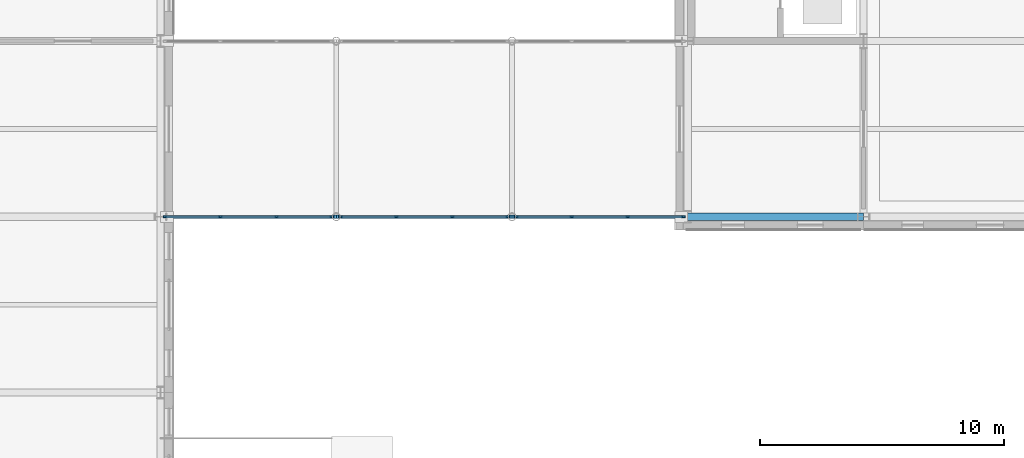
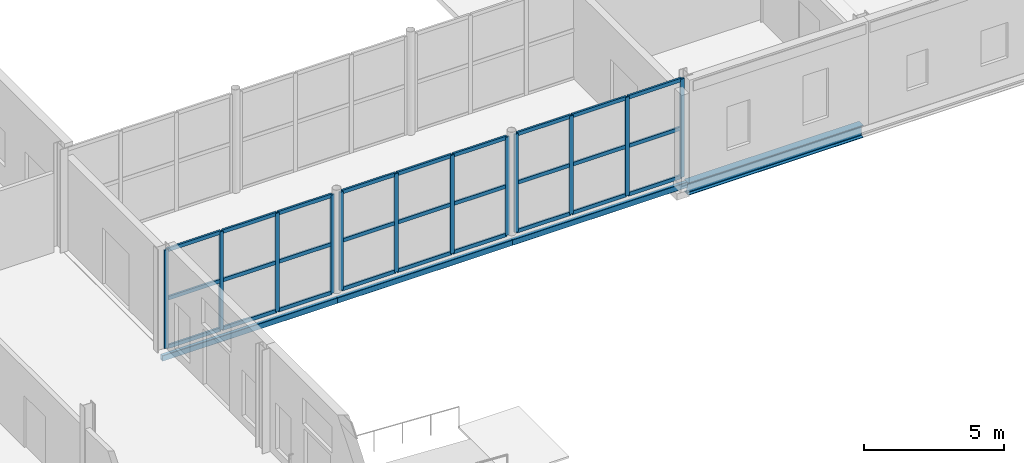
# One storey, part 32 of 92: 39 members, 4 beams, 3 elements without a shape of their own.
"""IFC4 building model written with IfcOpenShell, lengths in metres."""

from ifc_helpers import new_model, si_unit, direction, frame, origin, origin_2d, place, context, subcontext, project, spatial, rectangle, hollow_rectangle, i_section, extrude, material, material_profile, profile_set, type_object, element, aggregate, save


model = new_model("IFC4")

# Units and contexts
model_context = context("Model", 3, precision=1e-05, world=origin(), true_north=direction((0.0, 1.0)))
body_context = subcontext(model_context, "Body", "Model", "MODEL_VIEW")
ifc_project = project(units=[si_unit("LENGTHUNIT", "METRE"), si_unit("AREAUNIT", "SQUARE_METRE"), si_unit("VOLUMEUNIT", "CUBIC_METRE"), si_unit("PLANEANGLEUNIT", "RADIAN"), si_unit("MASSUNIT", "GRAM", prefix="KILO")], contexts=[model_context])

# Site, building, storey
site_placement = place(None, origin())
site = spatial("IfcSite", under=ifc_project, at=site_placement, CompositionType="ELEMENT")
building_placement = place(site_placement, origin())
building = spatial("IfcBuilding", under=site, at=building_placement, Name="Zlatovets Crest Museum", CompositionType="ELEMENT")
storey_placement = place(building_placement, origin())
storey = spatial("IfcBuildingStorey", under=building, at=storey_placement, Name="L00", CompositionType="ELEMENT", Elevation=0.0)

# Beams
ifc_material_1 = material(Name="Structural steel S355J2", Category="steel")
ifc_material_profile_1 = material_profile(ifc_material_1, i_section(OverallWidth=0.300048828125, OverallDepth=0.5400390625, WebThickness=0.012451171875, FlangeThickness=0.02392578125, FilletRadius=0.027099609375, at=origin_2d()), Name="HEA 550")
ifc_profile_set_1 = profile_set([ifc_material_profile_1], Name="Structural steel S355J2")
beam_type_1 = type_object("IfcBeamType", Name="Beam_B-09", PredefinedType="BEAM", material=ifc_profile_set_1)
beam_1_placement = place(storey_placement, frame((57.60009765625, 86.39990234375, -0.52001953125), z_axis=(1.0, 0.0, 0.0), x_axis=(0.0, 1.0, 0.0)))
element("IfcBeam", 1, at=beam_1_placement, inside=storey, type_object=beam_type_1, Name="V1 L00 Primary Girder B-09", PredefinedType="BEAM", context=body_context, shape_type="SweptSolid", body=[
    extrude(i_section(OverallWidth=0.300048828125, OverallDepth=0.5400390625, WebThickness=0.012451171875, FlangeThickness=0.02392578125, FilletRadius=0.027099609375, at=origin_2d()), origin(), (0.0, 0.0, 1.0), 7.199951171875),
])
ifc_material_profile_2 = material_profile(ifc_material_1, hollow_rectangle(XDim=0.14990234375, YDim=0.25, WallThickness=0.010009765625, InnerFilletRadius=0.010009765625, OuterFilletRadius=0.02001953125, at=origin_2d()), Name="RHS 150x250x10.0")
ifc_profile_set_2 = profile_set([ifc_material_profile_2], Name="Structural steel S355J2")
beam_type_2 = type_object("IfcBeamType", Name="Beam_BRG-03", PredefinedType="BEAM", material=ifc_profile_set_2)
for number, where, z_axis, x_axis, name in (
    (2, (36.0, 86.39990234375, -0.375), (1.0, 0.0, 0.0), (0.0, 1.0, 0.0), "Northwest Crest Glazed Link Bridge L00 Stringer Beam"),
    (3, (43.199951171875, 86.39990234375, -0.375), (1.0, 0.0, 0.0), (0.0, 1.0, 0.0), "Northwest Crest Glazed Link Bridge L00 Stringer Beam"),
):
    element("IfcBeam", number, at=place(storey_placement, frame(where, z_axis=z_axis, x_axis=x_axis)), inside=storey, type_object=beam_type_2, Name=name, PredefinedType="BEAM", context=body_context, shape_type="SweptSolid", body=[
        extrude(hollow_rectangle(XDim=0.14990234375, YDim=0.25, WallThickness=0.010009765625, InnerFilletRadius=0.010009765625, OuterFilletRadius=0.02001953125, at=origin_2d()), origin(), (0.0, 0.0, 1.0), 7.199951171875),
    ])
beam_2_placement = place(storey_placement, frame((50.39990234375, 86.39990234375, -0.375), z_axis=(1.0, 0.0, 0.0), x_axis=(0.0, 1.0, 0.0)))
element("IfcBeam", 4, at=beam_2_placement, inside=storey, type_object=beam_type_2, Name="Northwest Crest Glazed Link Bridge L00 Stringer Beam", PredefinedType="BEAM", context=body_context, shape_type="SweptSolid", body=[
    extrude(hollow_rectangle(XDim=0.14990234375, YDim=0.25, WallThickness=0.010009765625, InnerFilletRadius=0.010009765625, OuterFilletRadius=0.02001953125, at=origin_2d()), origin(), (0.0, 0.0, 1.0), 7.2001953125),
])

# Curtain wall, members
ifc_material_2 = material(Name="Bronze-anodised aluminium and low-E triple glass", Category="aluminium")
curtain_wall_type = type_object("IfcCurtainWallType", Name="CW_CW-BR3-L00-S69", PredefinedType="NOTDEFINED", material=ifc_material_2)
curtain_wall_1_placement = place(storey_placement, origin())
curtain_wall_1 = element("IfcCurtainWall", 5, at=curtain_wall_1_placement, inside=storey, type_object=curtain_wall_type, Name="Northwest Crest Glazed Link Bridge L00 Glazed Bridge Curtain Wall", PredefinedType="NOTDEFINED")
ifc_material_3 = material(Name="Bronze-anodised aluminium EN AW-6060", Category="aluminium")
ifc_material_profile_3 = material_profile(ifc_material_3, rectangle(XDim=0.080078125, YDim=0.159912109375, at=origin_2d()), Name="ALU 80x160")
ifc_profile_set_3 = profile_set([ifc_material_profile_3], Name="Bronze-anodised aluminium EN AW-6060")
member_type_1 = type_object("IfcMemberType", Name="CWMull_M1", PredefinedType="MULLION", material=ifc_profile_set_3)
member_1_placement = place(storey_placement, frame((36.179931640625, 86.39990234375, 0.0), z_axis=(0.0, 0.0, 1.0), x_axis=(0.0, 1.0, 0.0)))
member_1 = element("IfcMember", 6, at=member_1_placement, type_object=member_type_1, Name="CW-BR3-L00-S69 mullion 1", PredefinedType="MULLION", context=body_context, shape_type="SweptSolid", body=[
    extrude(rectangle(XDim=0.080078125, YDim=0.159912109375, at=origin_2d()), origin(), (0.0, 0.0, 1.0), 4.280029296875),
])
member_2_placement = place(storey_placement, frame((38.449951171875, 86.39990234375, 0.0), z_axis=(0.0, 0.0, 1.0), x_axis=(0.0, 1.0, 0.0)))
member_2 = element("IfcMember", 7, at=member_2_placement, type_object=member_type_1, Name="CW-BR3-L00-S69 mullion 2", PredefinedType="MULLION", context=body_context, shape_type="SweptSolid", body=[
    extrude(rectangle(XDim=0.080078125, YDim=0.159912109375, at=origin_2d()), origin(), (0.0, 0.0, 1.0), 4.280029296875),
])
member_3_placement = place(storey_placement, frame((40.75, 86.39990234375, 0.0), z_axis=(0.0, 0.0, 1.0), x_axis=(0.0, 1.0, 0.0)))
member_3 = element("IfcMember", 8, at=member_3_placement, type_object=member_type_1, Name="CW-BR3-L00-S69 mullion 3", PredefinedType="MULLION", context=body_context, shape_type="SweptSolid", body=[
    extrude(rectangle(XDim=0.080078125, YDim=0.159912109375, at=origin_2d()), origin(), (0.0, 0.0, 1.0), 4.280029296875),
])
member_4_placement = place(storey_placement, frame((43.02001953125, 86.39990234375, 0.0), z_axis=(0.0, 0.0, 1.0), x_axis=(0.0, 1.0, 0.0)))
member_4 = element("IfcMember", 9, at=member_4_placement, type_object=member_type_1, Name="CW-BR3-L00-S69 mullion 4", PredefinedType="MULLION", context=body_context, shape_type="SweptSolid", body=[
    extrude(rectangle(XDim=0.080078125, YDim=0.159912109375, at=origin_2d()), origin(), (0.0, 0.0, 1.0), 4.280029296875),
])

curtain_wall_2_placement = place(storey_placement, origin())
curtain_wall_2 = element("IfcCurtainWall", 10, at=curtain_wall_2_placement, inside=storey, type_object=curtain_wall_type, Name="Northwest Crest Glazed Link Bridge L00 Glazed Bridge Curtain Wall", PredefinedType="NOTDEFINED")
member_5_placement = place(storey_placement, frame((43.3798828125, 86.39990234375, 0.0), z_axis=(0.0, 0.0, 1.0), x_axis=(0.0, 1.0, 0.0)))
member_5 = element("IfcMember", 11, at=member_5_placement, type_object=member_type_1, Name="CW-BR3-L00-S69 mullion 1", PredefinedType="MULLION", context=body_context, shape_type="SweptSolid", body=[
    extrude(rectangle(XDim=0.080078125, YDim=0.159912109375, at=origin_2d()), origin(), (0.0, 0.0, 1.0), 4.280029296875),
])
member_6_placement = place(storey_placement, frame((45.64990234375, 86.39990234375, 0.0), z_axis=(0.0, 0.0, 1.0), x_axis=(0.0, 1.0, 0.0)))
member_6 = element("IfcMember", 12, at=member_6_placement, type_object=member_type_1, Name="CW-BR3-L00-S69 mullion 2", PredefinedType="MULLION", context=body_context, shape_type="SweptSolid", body=[
    extrude(rectangle(XDim=0.080078125, YDim=0.159912109375, at=origin_2d()), origin(), (0.0, 0.0, 1.0), 4.280029296875),
])
member_7_placement = place(storey_placement, frame((47.949951171875, 86.39990234375, 0.0), z_axis=(0.0, 0.0, 1.0), x_axis=(0.0, 1.0, 0.0)))
member_7 = element("IfcMember", 13, at=member_7_placement, type_object=member_type_1, Name="CW-BR3-L00-S69 mullion 3", PredefinedType="MULLION", context=body_context, shape_type="SweptSolid", body=[
    extrude(rectangle(XDim=0.080078125, YDim=0.159912109375, at=origin_2d()), origin(), (0.0, 0.0, 1.0), 4.280029296875),
])
member_8_placement = place(storey_placement, frame((50.219970703125, 86.39990234375, 0.0), z_axis=(0.0, 0.0, 1.0), x_axis=(0.0, 1.0, 0.0)))
member_8 = element("IfcMember", 14, at=member_8_placement, type_object=member_type_1, Name="CW-BR3-L00-S69 mullion 4", PredefinedType="MULLION", context=body_context, shape_type="SweptSolid", body=[
    extrude(rectangle(XDim=0.080078125, YDim=0.159912109375, at=origin_2d()), origin(), (0.0, 0.0, 1.0), 4.280029296875),
])

curtain_wall_3_placement = place(storey_placement, origin())
curtain_wall_3 = element("IfcCurtainWall", 15, at=curtain_wall_3_placement, inside=storey, type_object=curtain_wall_type, Name="Northwest Crest Glazed Link Bridge L00 Glazed Bridge Curtain Wall", PredefinedType="NOTDEFINED")
member_9_placement = place(storey_placement, frame((50.580078125, 86.39990234375, 0.0), z_axis=(0.0, 0.0, 1.0), x_axis=(0.0, 1.0, 0.0)))
member_9 = element("IfcMember", 16, at=member_9_placement, type_object=member_type_1, Name="CW-BR3-L00-S69 mullion 1", PredefinedType="MULLION", context=body_context, shape_type="SweptSolid", body=[
    extrude(rectangle(XDim=0.080078125, YDim=0.159912109375, at=origin_2d()), origin(), (0.0, 0.0, 1.0), 4.280029296875),
])
member_10_placement = place(storey_placement, frame((52.85009765625, 86.39990234375, 0.0), z_axis=(0.0, 0.0, 1.0), x_axis=(0.0, 1.0, 0.0)))
member_10 = element("IfcMember", 17, at=member_10_placement, type_object=member_type_1, Name="CW-BR3-L00-S69 mullion 2", PredefinedType="MULLION", context=body_context, shape_type="SweptSolid", body=[
    extrude(rectangle(XDim=0.080078125, YDim=0.159912109375, at=origin_2d()), origin(), (0.0, 0.0, 1.0), 4.280029296875),
])
member_11_placement = place(storey_placement, frame((55.14990234375, 86.39990234375, 0.0), z_axis=(0.0, 0.0, 1.0), x_axis=(0.0, 1.0, 0.0)))
member_11 = element("IfcMember", 18, at=member_11_placement, type_object=member_type_1, Name="CW-BR3-L00-S69 mullion 3", PredefinedType="MULLION", context=body_context, shape_type="SweptSolid", body=[
    extrude(rectangle(XDim=0.080078125, YDim=0.159912109375, at=origin_2d()), origin(), (0.0, 0.0, 1.0), 4.280029296875),
])
member_12_placement = place(storey_placement, frame((57.419921875, 86.39990234375, 0.0), z_axis=(0.0, 0.0, 1.0), x_axis=(0.0, 1.0, 0.0)))
member_12 = element("IfcMember", 19, at=member_12_placement, type_object=member_type_1, Name="CW-BR3-L00-S69 mullion 4", PredefinedType="MULLION", context=body_context, shape_type="SweptSolid", body=[
    extrude(rectangle(XDim=0.080078125, YDim=0.159912109375, at=origin_2d()), origin(), (0.0, 0.0, 1.0), 4.280029296875),
])

# Member
ifc_material_profile_4 = material_profile(ifc_material_3, rectangle(XDim=0.080078125, YDim=0.159912109375, at=origin_2d()), Name="ALU 80x160")
ifc_profile_set_4 = profile_set([ifc_material_profile_4], Name="Bronze-anodised aluminium EN AW-6060")
member_type_2 = type_object("IfcMemberType", Name="CWTrans_T1", PredefinedType="USERDEFINED", material=ifc_profile_set_4)
member_13_placement = place(storey_placement, frame((36.2099609375, 86.39990234375, 0.030029296875), z_axis=(1.0, 0.0, 0.0), x_axis=(0.0, 1.0, 0.0)))
member_13 = element("IfcMember", 20, at=member_13_placement, type_object=member_type_2, Name="CW-BR3-L00-S69 transom 1.1", ObjectType="TRANSOM", PredefinedType="USERDEFINED", context=body_context, shape_type="SweptSolid", body=[
    extrude(rectangle(XDim=0.080078125, YDim=0.159912109375, at=origin_2d()), origin(), (0.0, 0.0, 1.0), 2.2099609375),
])

member_14_placement = place(storey_placement, frame((36.2099609375, 86.39990234375, 2.139892578125), z_axis=(1.0, 0.0, 0.0), x_axis=(0.0, 1.0, 0.0)))
member_14 = element("IfcMember", 21, at=member_14_placement, type_object=member_type_2, Name="CW-BR3-L00-S69 transom 1.2", ObjectType="TRANSOM", PredefinedType="USERDEFINED", context=body_context, shape_type="SweptSolid", body=[
    extrude(rectangle(XDim=0.080078125, YDim=0.159912109375, at=origin_2d()), origin(), (0.0, 0.0, 1.0), 2.2099609375),
])

member_15_placement = place(storey_placement, frame((36.2099609375, 86.39990234375, 4.25), z_axis=(1.0, 0.0, 0.0), x_axis=(0.0, 1.0, 0.0)))
member_15 = element("IfcMember", 22, at=member_15_placement, type_object=member_type_2, Name="CW-BR3-L00-S69 transom 1.3", ObjectType="TRANSOM", PredefinedType="USERDEFINED", context=body_context, shape_type="SweptSolid", body=[
    extrude(rectangle(XDim=0.080078125, YDim=0.159912109375, at=origin_2d()), origin(), (0.0, 0.0, 1.0), 2.2099609375),
])

member_16_placement = place(storey_placement, frame((38.47998046875, 86.39990234375, 0.030029296875), z_axis=(1.0, 0.0, 0.0), x_axis=(0.0, 1.0, 0.0)))
member_16 = element("IfcMember", 23, at=member_16_placement, type_object=member_type_2, Name="CW-BR3-L00-S69 transom 2.1", ObjectType="TRANSOM", PredefinedType="USERDEFINED", context=body_context, shape_type="SweptSolid", body=[
    extrude(rectangle(XDim=0.080078125, YDim=0.159912109375, at=origin_2d()), origin(), (0.0, 0.0, 1.0), 2.239990234375),
])

member_17_placement = place(storey_placement, frame((38.47998046875, 86.39990234375, 2.139892578125), z_axis=(1.0, 0.0, 0.0), x_axis=(0.0, 1.0, 0.0)))
member_17 = element("IfcMember", 24, at=member_17_placement, type_object=member_type_2, Name="CW-BR3-L00-S69 transom 2.2", ObjectType="TRANSOM", PredefinedType="USERDEFINED", context=body_context, shape_type="SweptSolid", body=[
    extrude(rectangle(XDim=0.080078125, YDim=0.159912109375, at=origin_2d()), origin(), (0.0, 0.0, 1.0), 2.239990234375),
])

member_18_placement = place(storey_placement, frame((38.47998046875, 86.39990234375, 4.25), z_axis=(1.0, 0.0, 0.0), x_axis=(0.0, 1.0, 0.0)))
member_18 = element("IfcMember", 25, at=member_18_placement, type_object=member_type_2, Name="CW-BR3-L00-S69 transom 2.3", ObjectType="TRANSOM", PredefinedType="USERDEFINED", context=body_context, shape_type="SweptSolid", body=[
    extrude(rectangle(XDim=0.080078125, YDim=0.159912109375, at=origin_2d()), origin(), (0.0, 0.0, 1.0), 2.239990234375),
])

member_19_placement = place(storey_placement, frame((40.780029296875, 86.39990234375, 0.030029296875), z_axis=(1.0, 0.0, 0.0), x_axis=(0.0, 1.0, 0.0)))
member_19 = element("IfcMember", 26, at=member_19_placement, type_object=member_type_2, Name="CW-BR3-L00-S69 transom 3.1", ObjectType="TRANSOM", PredefinedType="USERDEFINED", context=body_context, shape_type="SweptSolid", body=[
    extrude(rectangle(XDim=0.080078125, YDim=0.159912109375, at=origin_2d()), origin(), (0.0, 0.0, 1.0), 2.2099609375),
])

member_20_placement = place(storey_placement, frame((40.780029296875, 86.39990234375, 2.139892578125), z_axis=(1.0, 0.0, 0.0), x_axis=(0.0, 1.0, 0.0)))
member_20 = element("IfcMember", 27, at=member_20_placement, type_object=member_type_2, Name="CW-BR3-L00-S69 transom 3.2", ObjectType="TRANSOM", PredefinedType="USERDEFINED", context=body_context, shape_type="SweptSolid", body=[
    extrude(rectangle(XDim=0.080078125, YDim=0.159912109375, at=origin_2d()), origin(), (0.0, 0.0, 1.0), 2.2099609375),
])

member_21_placement = place(storey_placement, frame((40.780029296875, 86.39990234375, 4.25), z_axis=(1.0, 0.0, 0.0), x_axis=(0.0, 1.0, 0.0)))
member_21 = element("IfcMember", 28, at=member_21_placement, type_object=member_type_2, Name="CW-BR3-L00-S69 transom 3.3", ObjectType="TRANSOM", PredefinedType="USERDEFINED", context=body_context, shape_type="SweptSolid", body=[
    extrude(rectangle(XDim=0.080078125, YDim=0.159912109375, at=origin_2d()), origin(), (0.0, 0.0, 1.0), 2.2099609375),
])

aggregate(curtain_wall_1, [member_1, member_2, member_3, member_4, member_13, member_14, member_15, member_16, member_17, member_18, member_19, member_20, member_21])

member_22_placement = place(storey_placement, frame((43.409912109375, 86.39990234375, 0.030029296875), z_axis=(1.0, 0.0, 0.0), x_axis=(0.0, 1.0, 0.0)))
member_22 = element("IfcMember", 29, at=member_22_placement, type_object=member_type_2, Name="CW-BR3-L00-S69 transom 1.1", ObjectType="TRANSOM", PredefinedType="USERDEFINED", context=body_context, shape_type="SweptSolid", body=[
    extrude(rectangle(XDim=0.080078125, YDim=0.159912109375, at=origin_2d()), origin(), (0.0, 0.0, 1.0), 2.210205078125),
])

member_23_placement = place(storey_placement, frame((43.409912109375, 86.39990234375, 2.139892578125), z_axis=(1.0, 0.0, 0.0), x_axis=(0.0, 1.0, 0.0)))
member_23 = element("IfcMember", 30, at=member_23_placement, type_object=member_type_2, Name="CW-BR3-L00-S69 transom 1.2", ObjectType="TRANSOM", PredefinedType="USERDEFINED", context=body_context, shape_type="SweptSolid", body=[
    extrude(rectangle(XDim=0.080078125, YDim=0.159912109375, at=origin_2d()), origin(), (0.0, 0.0, 1.0), 2.210205078125),
])

member_24_placement = place(storey_placement, frame((43.409912109375, 86.39990234375, 4.25), z_axis=(1.0, 0.0, 0.0), x_axis=(0.0, 1.0, 0.0)))
member_24 = element("IfcMember", 31, at=member_24_placement, type_object=member_type_2, Name="CW-BR3-L00-S69 transom 1.3", ObjectType="TRANSOM", PredefinedType="USERDEFINED", context=body_context, shape_type="SweptSolid", body=[
    extrude(rectangle(XDim=0.080078125, YDim=0.159912109375, at=origin_2d()), origin(), (0.0, 0.0, 1.0), 2.210205078125),
])

member_25_placement = place(storey_placement, frame((45.679931640625, 86.39990234375, 0.030029296875), z_axis=(1.0, 0.0, 0.0), x_axis=(0.0, 1.0, 0.0)))
member_25 = element("IfcMember", 32, at=member_25_placement, type_object=member_type_2, Name="CW-BR3-L00-S69 transom 2.1", ObjectType="TRANSOM", PredefinedType="USERDEFINED", context=body_context, shape_type="SweptSolid", body=[
    extrude(rectangle(XDim=0.080078125, YDim=0.159912109375, at=origin_2d()), origin(), (0.0, 0.0, 1.0), 2.239990234375),
])

member_26_placement = place(storey_placement, frame((45.679931640625, 86.39990234375, 2.139892578125), z_axis=(1.0, 0.0, 0.0), x_axis=(0.0, 1.0, 0.0)))
member_26 = element("IfcMember", 33, at=member_26_placement, type_object=member_type_2, Name="CW-BR3-L00-S69 transom 2.2", ObjectType="TRANSOM", PredefinedType="USERDEFINED", context=body_context, shape_type="SweptSolid", body=[
    extrude(rectangle(XDim=0.080078125, YDim=0.159912109375, at=origin_2d()), origin(), (0.0, 0.0, 1.0), 2.239990234375),
])

member_27_placement = place(storey_placement, frame((45.679931640625, 86.39990234375, 4.25), z_axis=(1.0, 0.0, 0.0), x_axis=(0.0, 1.0, 0.0)))
member_27 = element("IfcMember", 34, at=member_27_placement, type_object=member_type_2, Name="CW-BR3-L00-S69 transom 2.3", ObjectType="TRANSOM", PredefinedType="USERDEFINED", context=body_context, shape_type="SweptSolid", body=[
    extrude(rectangle(XDim=0.080078125, YDim=0.159912109375, at=origin_2d()), origin(), (0.0, 0.0, 1.0), 2.239990234375),
])

member_28_placement = place(storey_placement, frame((47.97998046875, 86.39990234375, 0.030029296875), z_axis=(1.0, 0.0, 0.0), x_axis=(0.0, 1.0, 0.0)))
member_28 = element("IfcMember", 35, at=member_28_placement, type_object=member_type_2, Name="CW-BR3-L00-S69 transom 3.1", ObjectType="TRANSOM", PredefinedType="USERDEFINED", context=body_context, shape_type="SweptSolid", body=[
    extrude(rectangle(XDim=0.080078125, YDim=0.159912109375, at=origin_2d()), origin(), (0.0, 0.0, 1.0), 2.2099609375),
])

member_29_placement = place(storey_placement, frame((47.97998046875, 86.39990234375, 2.139892578125), z_axis=(1.0, 0.0, 0.0), x_axis=(0.0, 1.0, 0.0)))
member_29 = element("IfcMember", 36, at=member_29_placement, type_object=member_type_2, Name="CW-BR3-L00-S69 transom 3.2", ObjectType="TRANSOM", PredefinedType="USERDEFINED", context=body_context, shape_type="SweptSolid", body=[
    extrude(rectangle(XDim=0.080078125, YDim=0.159912109375, at=origin_2d()), origin(), (0.0, 0.0, 1.0), 2.2099609375),
])

member_30_placement = place(storey_placement, frame((47.97998046875, 86.39990234375, 4.25), z_axis=(1.0, 0.0, 0.0), x_axis=(0.0, 1.0, 0.0)))
member_30 = element("IfcMember", 37, at=member_30_placement, type_object=member_type_2, Name="CW-BR3-L00-S69 transom 3.3", ObjectType="TRANSOM", PredefinedType="USERDEFINED", context=body_context, shape_type="SweptSolid", body=[
    extrude(rectangle(XDim=0.080078125, YDim=0.159912109375, at=origin_2d()), origin(), (0.0, 0.0, 1.0), 2.2099609375),
])

aggregate(curtain_wall_2, [member_5, member_6, member_7, member_8, member_22, member_23, member_24, member_25, member_26, member_27, member_28, member_29, member_30])

member_31_placement = place(storey_placement, frame((50.610107421875, 86.39990234375, 0.030029296875), z_axis=(1.0, 0.0, 0.0), x_axis=(0.0, 1.0, 0.0)))
member_31 = element("IfcMember", 38, at=member_31_placement, type_object=member_type_2, Name="CW-BR3-L00-S69 transom 1.1", ObjectType="TRANSOM", PredefinedType="USERDEFINED", context=body_context, shape_type="SweptSolid", body=[
    extrude(rectangle(XDim=0.080078125, YDim=0.159912109375, at=origin_2d()), origin(), (0.0, 0.0, 1.0), 2.2099609375),
])

member_32_placement = place(storey_placement, frame((50.610107421875, 86.39990234375, 2.139892578125), z_axis=(1.0, 0.0, 0.0), x_axis=(0.0, 1.0, 0.0)))
member_32 = element("IfcMember", 39, at=member_32_placement, type_object=member_type_2, Name="CW-BR3-L00-S69 transom 1.2", ObjectType="TRANSOM", PredefinedType="USERDEFINED", context=body_context, shape_type="SweptSolid", body=[
    extrude(rectangle(XDim=0.080078125, YDim=0.159912109375, at=origin_2d()), origin(), (0.0, 0.0, 1.0), 2.2099609375),
])

member_33_placement = place(storey_placement, frame((50.610107421875, 86.39990234375, 4.25), z_axis=(1.0, 0.0, 0.0), x_axis=(0.0, 1.0, 0.0)))
member_33 = element("IfcMember", 40, at=member_33_placement, type_object=member_type_2, Name="CW-BR3-L00-S69 transom 1.3", ObjectType="TRANSOM", PredefinedType="USERDEFINED", context=body_context, shape_type="SweptSolid", body=[
    extrude(rectangle(XDim=0.080078125, YDim=0.159912109375, at=origin_2d()), origin(), (0.0, 0.0, 1.0), 2.2099609375),
])

member_34_placement = place(storey_placement, frame((52.8798828125, 86.39990234375, 0.030029296875), z_axis=(1.0, 0.0, 0.0), x_axis=(0.0, 1.0, 0.0)))
member_34 = element("IfcMember", 41, at=member_34_placement, type_object=member_type_2, Name="CW-BR3-L00-S69 transom 2.1", ObjectType="TRANSOM", PredefinedType="USERDEFINED", context=body_context, shape_type="SweptSolid", body=[
    extrude(rectangle(XDim=0.080078125, YDim=0.159912109375, at=origin_2d()), origin(), (0.0, 0.0, 1.0), 2.240234375),
])

member_35_placement = place(storey_placement, frame((52.8798828125, 86.39990234375, 2.139892578125), z_axis=(1.0, 0.0, 0.0), x_axis=(0.0, 1.0, 0.0)))
member_35 = element("IfcMember", 42, at=member_35_placement, type_object=member_type_2, Name="CW-BR3-L00-S69 transom 2.2", ObjectType="TRANSOM", PredefinedType="USERDEFINED", context=body_context, shape_type="SweptSolid", body=[
    extrude(rectangle(XDim=0.080078125, YDim=0.159912109375, at=origin_2d()), origin(), (0.0, 0.0, 1.0), 2.240234375),
])

member_36_placement = place(storey_placement, frame((52.8798828125, 86.39990234375, 4.25), z_axis=(1.0, 0.0, 0.0), x_axis=(0.0, 1.0, 0.0)))
member_36 = element("IfcMember", 43, at=member_36_placement, type_object=member_type_2, Name="CW-BR3-L00-S69 transom 2.3", ObjectType="TRANSOM", PredefinedType="USERDEFINED", context=body_context, shape_type="SweptSolid", body=[
    extrude(rectangle(XDim=0.080078125, YDim=0.159912109375, at=origin_2d()), origin(), (0.0, 0.0, 1.0), 2.240234375),
])

member_37_placement = place(storey_placement, frame((55.179931640625, 86.39990234375, 0.030029296875), z_axis=(1.0, 0.0, 0.0), x_axis=(0.0, 1.0, 0.0)))
member_37 = element("IfcMember", 44, at=member_37_placement, type_object=member_type_2, Name="CW-BR3-L00-S69 transom 3.1", ObjectType="TRANSOM", PredefinedType="USERDEFINED", context=body_context, shape_type="SweptSolid", body=[
    extrude(rectangle(XDim=0.080078125, YDim=0.159912109375, at=origin_2d()), origin(), (0.0, 0.0, 1.0), 2.2099609375),
])

member_38_placement = place(storey_placement, frame((55.179931640625, 86.39990234375, 2.139892578125), z_axis=(1.0, 0.0, 0.0), x_axis=(0.0, 1.0, 0.0)))
member_38 = element("IfcMember", 45, at=member_38_placement, type_object=member_type_2, Name="CW-BR3-L00-S69 transom 3.2", ObjectType="TRANSOM", PredefinedType="USERDEFINED", context=body_context, shape_type="SweptSolid", body=[
    extrude(rectangle(XDim=0.080078125, YDim=0.159912109375, at=origin_2d()), origin(), (0.0, 0.0, 1.0), 2.2099609375),
])

member_39_placement = place(storey_placement, frame((55.179931640625, 86.39990234375, 4.25), z_axis=(1.0, 0.0, 0.0), x_axis=(0.0, 1.0, 0.0)))
member_39 = element("IfcMember", 46, at=member_39_placement, type_object=member_type_2, Name="CW-BR3-L00-S69 transom 3.3", ObjectType="TRANSOM", PredefinedType="USERDEFINED", context=body_context, shape_type="SweptSolid", body=[
    extrude(rectangle(XDim=0.080078125, YDim=0.159912109375, at=origin_2d()), origin(), (0.0, 0.0, 1.0), 2.2099609375),
])

aggregate(curtain_wall_3, [member_9, member_10, member_11, member_12, member_31, member_32, member_33, member_34, member_35, member_36, member_37, member_38, member_39])

save(model, "model.ifc")
